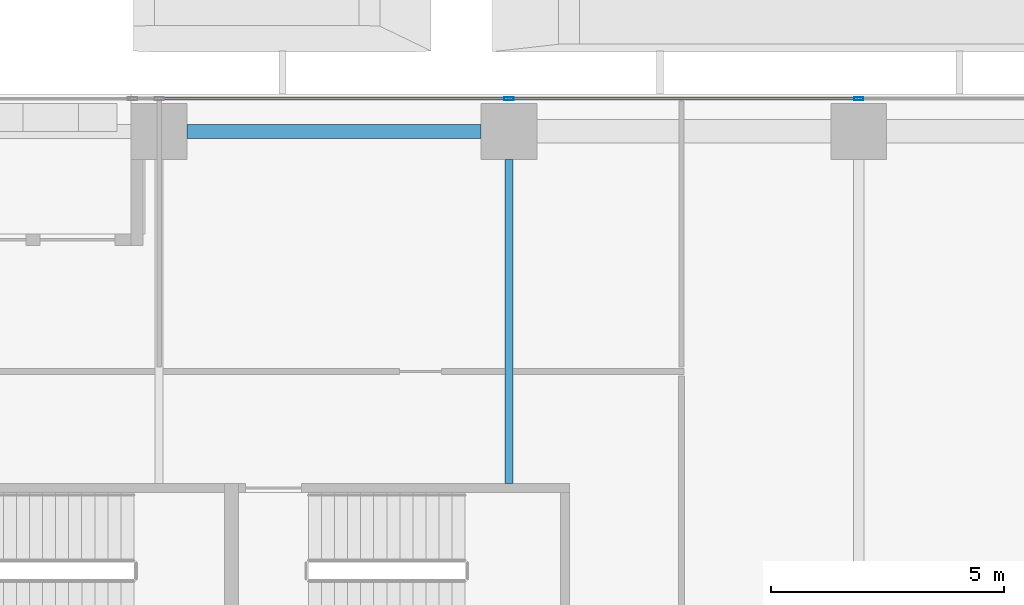
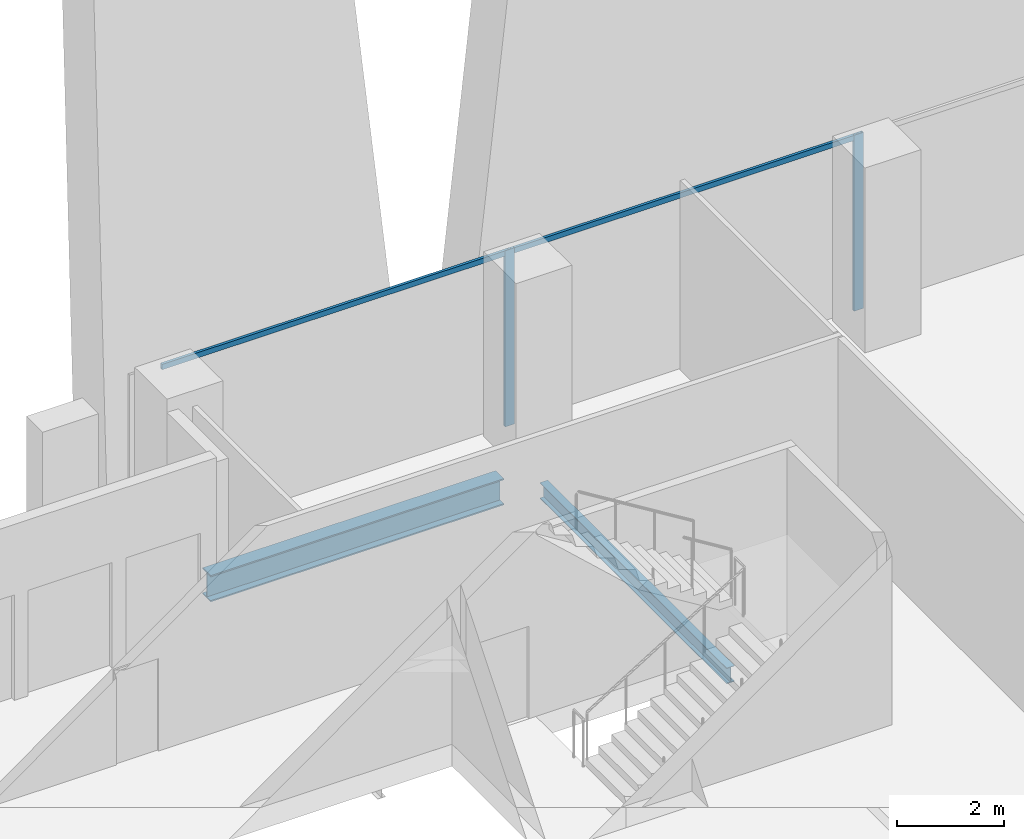
# One storey, part 21 of 46: 4 members, 2 beams, 1 element without a shape of its own.
"""IFC4 building model written with IfcOpenShell, lengths in metres."""

from ifc_helpers import new_model, si_unit, direction, frame, origin, origin_2d, place, context, subcontext, project, spatial, hollow_rectangle, i_section, extrude, source, transform, mapped, material, material_profile, profile_set, type_object, element, aggregate, save


model = new_model("IFC4")

# Units and contexts
model_context = context("Model", 3, precision=1e-05, world=origin(), true_north=direction((0.0, 1.0)))
body_context = subcontext(model_context, "Body", "Model", "MODEL_VIEW")
ifc_project = project(units=[si_unit("LENGTHUNIT", "METRE"), si_unit("AREAUNIT", "SQUARE_METRE"), si_unit("VOLUMEUNIT", "CUBIC_METRE"), si_unit("PLANEANGLEUNIT", "RADIAN"), si_unit("MASSUNIT", "GRAM", prefix="KILO")], contexts=[model_context])

# Site, building, storey
site_placement = place(None, origin())
site = spatial("IfcSite", under=ifc_project, at=site_placement, CompositionType="ELEMENT")
building_placement = place(site_placement, origin())
building = spatial("IfcBuilding", under=site, at=building_placement, Name="Khomas Fold Tower", CompositionType="ELEMENT")
storey_placement = place(building_placement, frame((0.0, 0.0, 33.0)))
storey = spatial("IfcBuildingStorey", under=building, at=storey_placement, Name="L06", CompositionType="ELEMENT", Elevation=33.0)

# Beams
ifc_material_1 = material(Name="Steel S355", Category="steel")
ifc_material_profile_1 = material_profile(ifc_material_1, i_section(OverallWidth=0.169921875, OverallDepth=0.360107421875, WebThickness=0.008056640625, FlangeThickness=0.0126953125, at=origin_2d()), Name="IPE 360")
ifc_profile_set_1 = profile_set([ifc_material_profile_1], Name="Steel S355")
beam_type_1 = type_object("IfcBeamType", Name="IPE 360 beam JB2", PredefinedType="BEAM", material=ifc_profile_set_1)
shared_shape_1 = source(origin(), body_context, "Body", "SweptSolid", [
    extrude(i_section(OverallWidth=0.169921875, OverallDepth=0.360107421875, WebThickness=0.008056640625, FlangeThickness=0.0126953125, at=origin_2d()), origin(), (0.0, 0.0, 1.0), 6.9501953125),
])
beam_1_placement = place(storey_placement, frame((27.0, 45.64990234375, -0.679931640625), z_axis=(0.0, 1.0, 0.0), x_axis=(-1.0, 0.0, 0.0)))
element("IfcBeam", 1, at=beam_1_placement, inside=storey, type_object=beam_type_1, Name="JB2", PredefinedType="BEAM", context=body_context, shape_type="MappedRepresentation", body=[
    mapped(shared_shape_1, transform((0.0, 0.0, 0.0))),
])
ifc_material_2 = material(Name="Steel S355", Category="steel")
ifc_material_profile_2 = material_profile(ifc_material_2, i_section(OverallWidth=0.300048828125, OverallDepth=0.60009765625, WebThickness=0.015380859375, FlangeThickness=0.030029296875, at=origin_2d()), Name="HE 600 B")
ifc_profile_set_2 = profile_set([ifc_material_profile_2], Name="Steel S355")
beam_type_2 = type_object("IfcBeamType", Name="HE 600 B spandrel SB1", PredefinedType="SPANDREL", material=ifc_profile_set_2)
shared_shape_2 = source(origin(), body_context, "Body", "SweptSolid", [
    extrude(i_section(OverallWidth=0.300048828125, OverallDepth=0.60009765625, WebThickness=0.015380859375, FlangeThickness=0.030029296875, at=origin_2d()), origin(), (0.0, 0.0, 1.0), 6.2998046875),
])
beam_2_placement = place(storey_placement, frame((20.10009765625, 53.199951171875, -0.800048828125), z_axis=(1.0, 0.0, 0.0), x_axis=(0.0, 1.0, 0.0)))
element("IfcBeam", 2, at=beam_2_placement, inside=storey, type_object=beam_type_2, Name="SB1", PredefinedType="SPANDREL", context=body_context, shape_type="MappedRepresentation", body=[
    mapped(shared_shape_2, transform((0.0, 0.0, 0.0))),
])

# Curtain wall, members
ifc_material_3 = material(Name="Aluminium framed double glazing", Category="aluminium")
curtain_wall_type = type_object("IfcCurtainWallType", Name="SK-Unitised clear-glass wall, growing floors CW1", PredefinedType="NOTDEFINED", material=ifc_material_3)
curtain_wall_placement = place(storey_placement, origin())
curtain_wall = element("IfcCurtainWall", 3, at=curtain_wall_placement, inside=storey, type_object=curtain_wall_type, Name="CW1 run L06 06-0", PredefinedType="NOTDEFINED")
ifc_material_4 = material(Name="Aluminium", Category="aluminium")
ifc_material_profile_3 = material_profile(ifc_material_4, hollow_rectangle(XDim=0.06005859375, YDim=0.199951171875, WallThickness=0.00390625, at=origin_2d()), Name="SK-Unitised clear-glass wall, growing floors mullion CW1-M")
ifc_profile_set_3 = profile_set([ifc_material_profile_3], Name="Aluminium")
member_type_1 = type_object("IfcMemberType", Name="SK-Unitised clear-glass wall, growing floors mullion CW1-M", PredefinedType="MULLION", material=ifc_profile_set_3)
shared_shape_3 = source(origin(), body_context, "Body", "SweptSolid", [
    extrude(hollow_rectangle(XDim=0.06005859375, YDim=0.199951171875, WallThickness=0.00390625, at=origin_2d()), origin(), (0.0, 0.0, 1.0), 4.0),
])
member_1_placement = place(storey_placement, frame((34.5, 53.89990234375, 0.0), z_axis=(0.0, 0.0, 1.0), x_axis=(0.0, -1.0, 0.0)))
member_1 = element("IfcMember", 4, at=member_1_placement, type_object=member_type_1, Name="CW1 mullion 4", PredefinedType="MULLION", context=body_context, shape_type="MappedRepresentation", body=[
    mapped(shared_shape_3, transform((0.0, 0.0, 0.0))),
])
member_2_placement = place(storey_placement, frame((27.0, 53.89990234375, 0.0), z_axis=(0.0, 0.0, 1.0), x_axis=(0.0, -1.0, 0.0)))
member_2 = element("IfcMember", 5, at=member_2_placement, type_object=member_type_1, Name="CW1 mullion 5", PredefinedType="MULLION", context=body_context, shape_type="MappedRepresentation", body=[
    mapped(shared_shape_3, transform((0.0, 0.0, 0.0))),
])
ifc_material_5 = material(Name="Aluminium", Category="aluminium")
ifc_material_profile_4 = material_profile(ifc_material_5, hollow_rectangle(XDim=0.06005859375, YDim=0.1201171875, WallThickness=0.00390625, at=origin_2d()), Name="SK-Unitised clear-glass wall, growing floors transom CW1-T")
ifc_profile_set_4 = profile_set([ifc_material_profile_4], Name="Aluminium")
member_type_2 = type_object("IfcMemberType", Name="SK-Unitised clear-glass wall, growing floors transom CW1-T", PredefinedType="USERDEFINED", material=ifc_profile_set_4)
shared_shape_4 = source(origin(), body_context, "Body", "SweptSolid", [
    extrude(hollow_rectangle(XDim=0.06005859375, YDim=0.1201171875, WallThickness=0.00390625, at=origin_2d()), origin(), (0.0, 0.0, 1.0), 7.43994140625),
])
member_3_placement = place(storey_placement, frame((34.469970703125, 53.89990234375, 3.93994140625), z_axis=(-1.0, 0.0, 0.0), x_axis=(0.0, -1.0, 0.0)))
member_3 = element("IfcMember", 6, at=member_3_placement, type_object=member_type_2, Name="CW1 transom 4", ObjectType="TRANSOM", PredefinedType="USERDEFINED", context=body_context, shape_type="MappedRepresentation", body=[
    mapped(shared_shape_4, transform((0.0, 0.0, 0.0))),
])
member_4_placement = place(storey_placement, frame((26.969970703125, 53.89990234375, 3.93994140625), z_axis=(-1.0, 0.0, 0.0), x_axis=(0.0, -1.0, 0.0)))
member_4 = element("IfcMember", 7, at=member_4_placement, type_object=member_type_2, Name="CW1 transom 5", ObjectType="TRANSOM", PredefinedType="USERDEFINED", context=body_context, shape_type="MappedRepresentation", body=[
    mapped(shared_shape_4, transform((0.0, 0.0, 0.0))),
])
aggregate(curtain_wall, [member_1, member_2, member_3, member_4])

save(model, "model.ifc")
